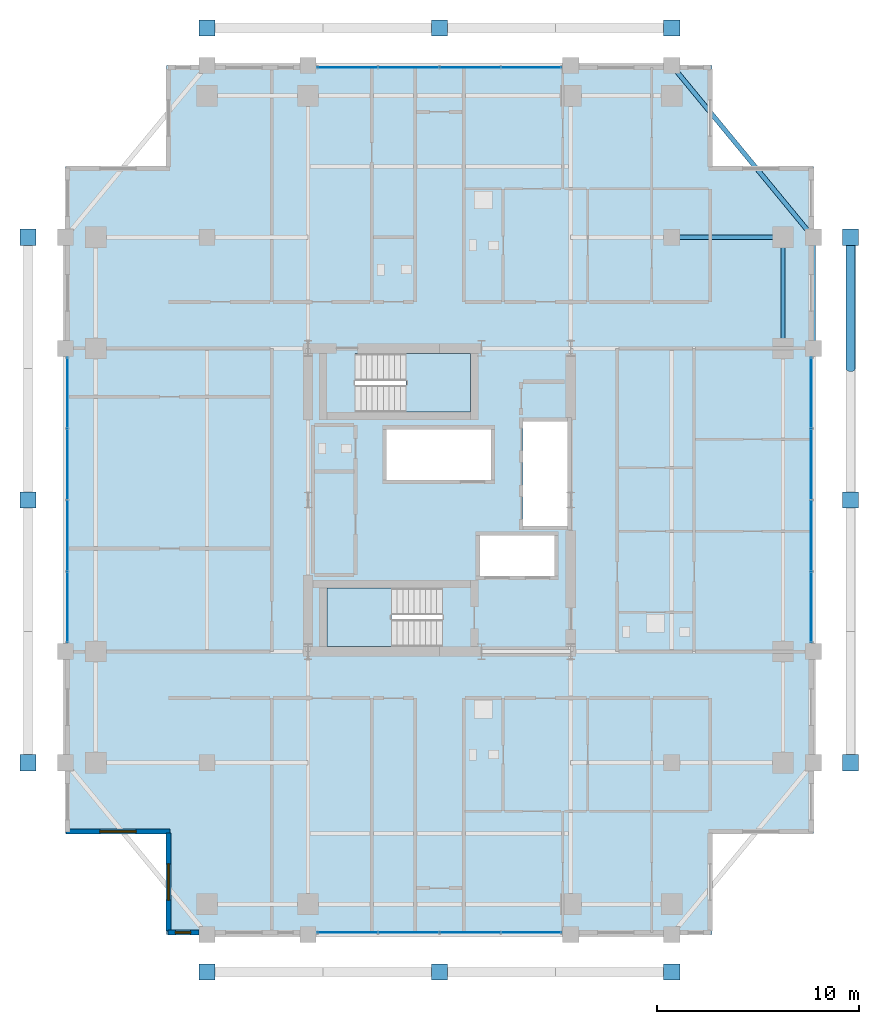
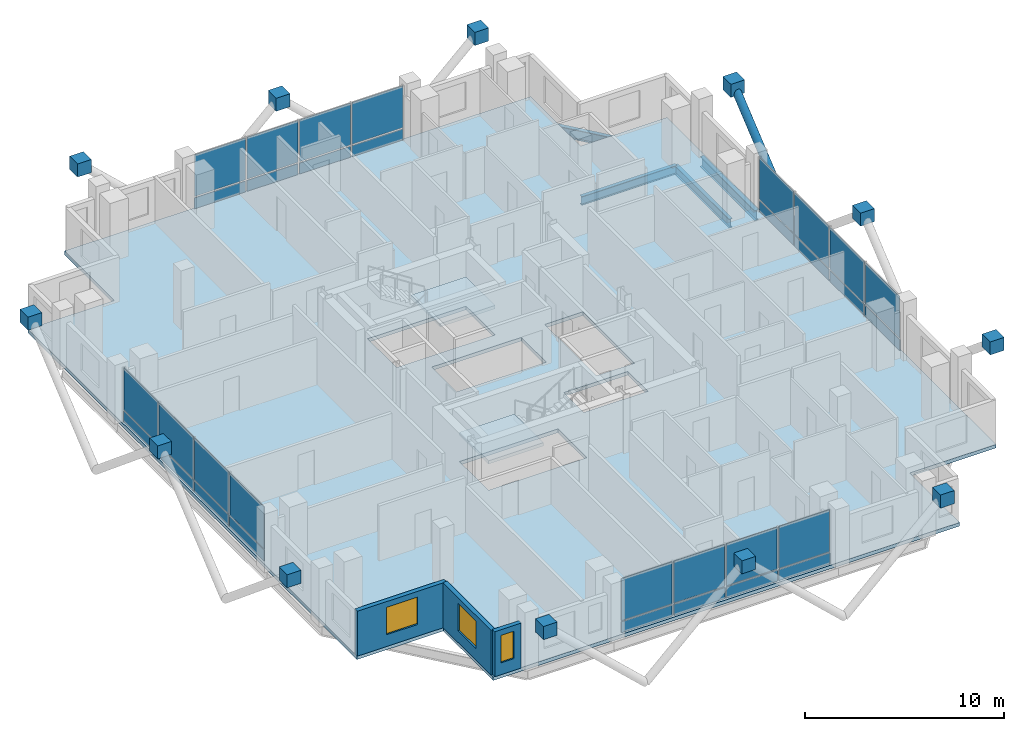
# One storey, part 17 of 24: 44 plates, 4 beams, 3 slabs, 3 walls, 3 windows, 1 member, 3 openings, 6 elements without a shape of their own.
"""IFC4 building model written with IfcOpenShell, lengths in metres."""

from ifc_helpers import new_model, si_unit, direction, frame, frame_2d, origin, origin_2d, place, context, subcontext, project, spatial, polyline, rectangle, hollow_circle, i_section, outline, extrude, material, layer, layer_set, material_profile, profile_set, type_object, element, fill, aggregate, save


model = new_model("IFC4")

# Units and contexts
model_context = context("Model", 3, precision=1e-05, world=origin(), true_north=direction((0.0, 1.0)))
body_context = subcontext(model_context, "Body", "Model", "MODEL_VIEW")
ifc_project = project(units=[si_unit("LENGTHUNIT", "METRE"), si_unit("AREAUNIT", "SQUARE_METRE"), si_unit("VOLUMEUNIT", "CUBIC_METRE"), si_unit("PLANEANGLEUNIT", "RADIAN"), si_unit("MASSUNIT", "GRAM", prefix="KILO")], contexts=[model_context])

# Site, building, storey
site_placement = place(None, origin())
site = spatial("IfcSite", under=ifc_project, at=site_placement, CompositionType="ELEMENT")
building_placement = place(site_placement, origin())
building = spatial("IfcBuilding", under=site, at=building_placement, Name="Barlavira Tower and Art Museum", CompositionType="ELEMENT")
storey_placement = place(building_placement, frame((0.0, 0.0, 172.800048828125)))
storey = spatial("IfcBuildingStorey", under=building, at=storey_placement, Name="L44", CompositionType="ELEMENT", Elevation=172.800048828125)

# Member
ifc_material_1 = material(Name="Steel S355", Category="steel")
ifc_material_profile_1 = material_profile(ifc_material_1, hollow_circle(Radius=0.228515625, WallThickness=0.02001953125, at=origin_2d()), Name="CHS 457.0x20.0")
ifc_profile_set_1 = profile_set([ifc_material_profile_1], Name="Steel S355")
member_type = type_object("IfcMemberType", Name="Pale-Metal Exoskeleton Diagrid Tube CHS 457x20 Steel S355", PredefinedType="BRACE", material=ifc_profile_set_1)
member_placement = place(storey_placement, frame((20.35009765625, 6.5, -1.920166015625), z_axis=(0.0, 0.76918185268, 0.639029950399), x_axis=(-1.0, 0.0, 0.0)))
element("IfcMember", 1, at=member_placement, inside=storey, type_object=member_type, Name="L44 Exoskeleton Diagrid Tube E", PredefinedType="BRACE", context=body_context, shape_type="SweptSolid", body=[
    extrude(hollow_circle(Radius=0.228515625, WallThickness=0.02001953125, at=origin_2d()), origin(), (0.0, 0.0, 1.0), 8.450439453125),
])

# Beams
ifc_material_profile_2 = material_profile(ifc_material_1, i_section(OverallWidth=0.22998046875, OverallDepth=0.616943359375, WebThickness=0.01318359375, FlangeThickness=0.022216796875, at=origin_2d()), Name="W610x140.0")
ifc_profile_set_2 = profile_set([ifc_material_profile_2], Name="Steel S355")
beam_type_1 = type_object("IfcBeamType", Name="Upper Shaft Spandrel Edge Beam W610x140 Steel S355", PredefinedType="SPANDREL", material=ifc_profile_set_2)
beam_1_placement = place(storey_placement, frame((18.5, 7.5, -0.528564453125), z_axis=(0.0, 1.0, 0.0), x_axis=(-1.0, 0.0, 0.0)))
element("IfcBeam", 2, at=beam_1_placement, inside=storey, type_object=beam_type_1, Name="L44 Spandrel 7", PredefinedType="SPANDREL", context=body_context, shape_type="SweptSolid", body=[
    extrude(i_section(OverallWidth=0.22998046875, OverallDepth=0.616943359375, WebThickness=0.01318359375, FlangeThickness=0.022216796875, at=origin_2d()), origin(), (0.0, 0.0, 1.0), 5.5),
])
beam_2_placement = place(storey_placement, frame((18.5, 13.0, -0.528564453125), z_axis=(-0.635707252861, 0.771930235617, 0.0), x_axis=(-0.771930235617, -0.635707252861, 0.0)))
element("IfcBeam", 3, at=beam_2_placement, inside=storey, type_object=beam_type_1, Name="L44 Spandrel 8", PredefinedType="SPANDREL", context=body_context, shape_type="SweptSolid", body=[
    extrude(i_section(OverallWidth=0.22998046875, OverallDepth=0.616943359375, WebThickness=0.01318359375, FlangeThickness=0.022216796875, at=origin_2d()), origin(), (0.0, 0.0, 1.0), 11.011474609375),
])
ifc_material_profile_3 = material_profile(ifc_material_1, i_section(OverallWidth=0.2109375, OverallDepth=0.5390625, WebThickness=0.01171875, FlangeThickness=0.018798828125, at=origin_2d()), Name="W530x109.0")
ifc_profile_set_3 = profile_set([ifc_material_profile_3], Name="Steel S355")
beam_type_2 = type_object("IfcBeamType", Name="Zone 3-4 Primary Floor Girder W530x109 Steel S355", PredefinedType="BEAM", material=ifc_profile_set_3)
for number, where, z_axis, x_axis, name in (
    (4, (17.0, 7.5, -0.489501953125), (0.0, 1.0, 0.0), (-1.0, 0.0, 0.0), "L44 Girder M-E3"),
    (5, (11.5, 13.0, -0.489501953125), (1.0, 0.0, 0.0), (0.0, 1.0, 0.0), "L44 Girder I-N4"),
):
    element("IfcBeam", number, at=place(storey_placement, frame(where, z_axis=z_axis, x_axis=x_axis)), inside=storey, type_object=beam_type_2, Name=name, PredefinedType="BEAM", context=body_context, shape_type="SweptSolid", body=[
        extrude(i_section(OverallWidth=0.2109375, OverallDepth=0.5390625, WebThickness=0.01171875, FlangeThickness=0.018798828125, at=origin_2d()), origin(), (0.0, 0.0, 1.0), 5.5),
    ])

# Curtain wall, plates
ifc_material_2 = material(Name="Low-iron coastal laminated glass", Category="glass")
ifc_layer_1 = layer(ifc_material_2, 0.199951171875, Name="Low-iron coastal laminated glass")
ifc_layer_set_1 = layer_set([ifc_layer_1], Name="Low-iron coastal laminated glass")
curtain_wall_type = type_object("IfcCurtainWallType", Name="Pale-Metal Unitised Curtain Wall Zone 3", PredefinedType="NOTDEFINED", material=ifc_layer_set_1)
curtain_wall_1_placement = place(storey_placement, origin())
curtain_wall_1 = element("IfcCurtainWall", 6, at=curtain_wall_1_placement, inside=storey, type_object=curtain_wall_type, Name="L44 Curtain Wall CW3-L44-S-B3", PredefinedType="NOTDEFINED")
ifc_material_3 = material(Name="Pale anodised aluminium", Category="aluminium")
ifc_layer_2 = layer(ifc_material_3, 0.044921875, Name="Pale anodised aluminium")
ifc_layer_set_2 = layer_set([ifc_layer_2], Name="Pale anodised aluminium")
plate_type_1 = type_object("IfcPlateType", Name="Curtain Wall Pale-Metal Spandrel Panel 45", PredefinedType="CURTAIN_PANEL", material=ifc_layer_set_2)
plate_1_placement = place(storey_placement, frame((-4.56005859375, -21.39990234375, 0.0400390625), z_axis=(0.0, 0.0, 1.0), x_axis=(1.0, 0.0, 0.0)))
plate_1 = element("IfcPlate", 7, at=plate_1_placement, type_object=plate_type_1, Name="CW3-L44-S-B3 Spandrel Panel 0", PredefinedType="CURTAIN_PANEL", context=body_context, shape_type="SweptSolid", body=[
    extrude(rectangle(XDim=2.93994140625, YDim=0.044921875, at=origin_2d()), origin(), (0.0, 0.0, 1.0), 0.6640625),
])
plate_2_placement = place(storey_placement, frame((-1.52001953125, -21.39990234375, 0.0400390625), z_axis=(0.0, 0.0, 1.0), x_axis=(1.0, 0.0, 0.0)))
plate_2 = element("IfcPlate", 8, at=plate_2_placement, type_object=plate_type_1, Name="CW3-L44-S-B3 Spandrel Panel 1", PredefinedType="CURTAIN_PANEL", context=body_context, shape_type="SweptSolid", body=[
    extrude(rectangle(XDim=2.93994140625, YDim=0.044921875, at=origin_2d()), origin(), (0.0, 0.0, 1.0), 0.6640625),
])
plate_3_placement = place(storey_placement, frame((1.52001953125, -21.39990234375, 0.0400390625), z_axis=(0.0, 0.0, 1.0), x_axis=(1.0, 0.0, 0.0)))
plate_3 = element("IfcPlate", 9, at=plate_3_placement, type_object=plate_type_1, Name="CW3-L44-S-B3 Spandrel Panel 2", PredefinedType="CURTAIN_PANEL", context=body_context, shape_type="SweptSolid", body=[
    extrude(rectangle(XDim=2.93994140625, YDim=0.044921875, at=origin_2d()), origin(), (0.0, 0.0, 1.0), 0.6640625),
])
plate_4_placement = place(storey_placement, frame((4.56005859375, -21.39990234375, 0.0400390625), z_axis=(0.0, 0.0, 1.0), x_axis=(1.0, 0.0, 0.0)))
plate_4 = element("IfcPlate", 10, at=plate_4_placement, type_object=plate_type_1, Name="CW3-L44-S-B3 Spandrel Panel 3", PredefinedType="CURTAIN_PANEL", context=body_context, shape_type="SweptSolid", body=[
    extrude(rectangle(XDim=2.93994140625, YDim=0.044921875, at=origin_2d()), origin(), (0.0, 0.0, 1.0), 0.6640625),
])

curtain_wall_2_placement = place(storey_placement, origin())
curtain_wall_2 = element("IfcCurtainWall", 11, at=curtain_wall_2_placement, inside=storey, type_object=curtain_wall_type, Name="L44 Curtain Wall CW3-L44-N-B3", PredefinedType="NOTDEFINED")
plate_5_placement = place(storey_placement, frame((4.56005859375, 21.39990234375, 0.0400390625), z_axis=(0.0, 0.0, 1.0), x_axis=(-1.0, 0.0, 0.0)))
plate_5 = element("IfcPlate", 12, at=plate_5_placement, type_object=plate_type_1, Name="CW3-L44-N-B3 Spandrel Panel 0", PredefinedType="CURTAIN_PANEL", context=body_context, shape_type="SweptSolid", body=[
    extrude(rectangle(XDim=2.93994140625, YDim=0.044921875, at=origin_2d()), origin(), (0.0, 0.0, 1.0), 0.6640625),
])
plate_6_placement = place(storey_placement, frame((1.52001953125, 21.39990234375, 0.0400390625), z_axis=(0.0, 0.0, 1.0), x_axis=(-1.0, 0.0, 0.0)))
plate_6 = element("IfcPlate", 13, at=plate_6_placement, type_object=plate_type_1, Name="CW3-L44-N-B3 Spandrel Panel 1", PredefinedType="CURTAIN_PANEL", context=body_context, shape_type="SweptSolid", body=[
    extrude(rectangle(XDim=2.93994140625, YDim=0.044921875, at=origin_2d()), origin(), (0.0, 0.0, 1.0), 0.6640625),
])
plate_7_placement = place(storey_placement, frame((-1.52001953125, 21.39990234375, 0.0400390625), z_axis=(0.0, 0.0, 1.0), x_axis=(-1.0, 0.0, 0.0)))
plate_7 = element("IfcPlate", 14, at=plate_7_placement, type_object=plate_type_1, Name="CW3-L44-N-B3 Spandrel Panel 2", PredefinedType="CURTAIN_PANEL", context=body_context, shape_type="SweptSolid", body=[
    extrude(rectangle(XDim=2.93994140625, YDim=0.044921875, at=origin_2d()), origin(), (0.0, 0.0, 1.0), 0.6640625),
])
plate_8_placement = place(storey_placement, frame((-4.56005859375, 21.39990234375, 0.0400390625), z_axis=(0.0, 0.0, 1.0), x_axis=(-1.0, 0.0, 0.0)))
plate_8 = element("IfcPlate", 15, at=plate_8_placement, type_object=plate_type_1, Name="CW3-L44-N-B3 Spandrel Panel 3", PredefinedType="CURTAIN_PANEL", context=body_context, shape_type="SweptSolid", body=[
    extrude(rectangle(XDim=2.93994140625, YDim=0.044921875, at=origin_2d()), origin(), (0.0, 0.0, 1.0), 0.6640625),
])

curtain_wall_3_placement = place(storey_placement, origin())
curtain_wall_3 = element("IfcCurtainWall", 16, at=curtain_wall_3_placement, inside=storey, type_object=curtain_wall_type, Name="L44 Curtain Wall CW3-L44-W-B3", PredefinedType="NOTDEFINED")
plate_9_placement = place(storey_placement, frame((-18.39990234375, 5.31005859375, 0.0400390625), z_axis=(0.0, 0.0, 1.0), x_axis=(0.0, -1.0, 0.0)))
plate_9 = element("IfcPlate", 17, at=plate_9_placement, type_object=plate_type_1, Name="CW3-L44-W-B3 Spandrel Panel 0", PredefinedType="CURTAIN_PANEL", context=body_context, shape_type="SweptSolid", body=[
    extrude(rectangle(XDim=3.43994140625, YDim=0.044921875, at=origin_2d()), origin(), (0.0, 0.0, 1.0), 0.6640625),
])
plate_10_placement = place(storey_placement, frame((-18.39990234375, 1.77001953125, 0.0400390625), z_axis=(0.0, 0.0, 1.0), x_axis=(0.0, -1.0, 0.0)))
plate_10 = element("IfcPlate", 18, at=plate_10_placement, type_object=plate_type_1, Name="CW3-L44-W-B3 Spandrel Panel 1", PredefinedType="CURTAIN_PANEL", context=body_context, shape_type="SweptSolid", body=[
    extrude(rectangle(XDim=3.43994140625, YDim=0.044921875, at=origin_2d()), origin(), (0.0, 0.0, 1.0), 0.6640625),
])
plate_11_placement = place(storey_placement, frame((-18.39990234375, -1.77001953125, 0.0400390625), z_axis=(0.0, 0.0, 1.0), x_axis=(0.0, -1.0, 0.0)))
plate_11 = element("IfcPlate", 19, at=plate_11_placement, type_object=plate_type_1, Name="CW3-L44-W-B3 Spandrel Panel 2", PredefinedType="CURTAIN_PANEL", context=body_context, shape_type="SweptSolid", body=[
    extrude(rectangle(XDim=3.43994140625, YDim=0.044921875, at=origin_2d()), origin(), (0.0, 0.0, 1.0), 0.6640625),
])
plate_12_placement = place(storey_placement, frame((-18.39990234375, -5.31005859375, 0.0400390625), z_axis=(0.0, 0.0, 1.0), x_axis=(0.0, -1.0, 0.0)))
plate_12 = element("IfcPlate", 20, at=plate_12_placement, type_object=plate_type_1, Name="CW3-L44-W-B3 Spandrel Panel 3", PredefinedType="CURTAIN_PANEL", context=body_context, shape_type="SweptSolid", body=[
    extrude(rectangle(XDim=3.43994140625, YDim=0.044921875, at=origin_2d()), origin(), (0.0, 0.0, 1.0), 0.6640625),
])

curtain_wall_4_placement = place(storey_placement, origin())
curtain_wall_4 = element("IfcCurtainWall", 21, at=curtain_wall_4_placement, inside=storey, type_object=curtain_wall_type, Name="L44 Curtain Wall CW3-L44-E-B3", PredefinedType="NOTDEFINED")
plate_13_placement = place(storey_placement, frame((18.39990234375, -5.31005859375, 0.0400390625), z_axis=(0.0, 0.0, 1.0), x_axis=(0.0, 1.0, 0.0)))
plate_13 = element("IfcPlate", 22, at=plate_13_placement, type_object=plate_type_1, Name="CW3-L44-E-B3 Spandrel Panel 0", PredefinedType="CURTAIN_PANEL", context=body_context, shape_type="SweptSolid", body=[
    extrude(rectangle(XDim=3.43994140625, YDim=0.044921875, at=origin_2d()), origin(), (0.0, 0.0, 1.0), 0.6640625),
])
plate_14_placement = place(storey_placement, frame((18.39990234375, -1.77001953125, 0.0400390625), z_axis=(0.0, 0.0, 1.0), x_axis=(0.0, 1.0, 0.0)))
plate_14 = element("IfcPlate", 23, at=plate_14_placement, type_object=plate_type_1, Name="CW3-L44-E-B3 Spandrel Panel 1", PredefinedType="CURTAIN_PANEL", context=body_context, shape_type="SweptSolid", body=[
    extrude(rectangle(XDim=3.43994140625, YDim=0.044921875, at=origin_2d()), origin(), (0.0, 0.0, 1.0), 0.6640625),
])
plate_15_placement = place(storey_placement, frame((18.39990234375, 1.77001953125, 0.0400390625), z_axis=(0.0, 0.0, 1.0), x_axis=(0.0, 1.0, 0.0)))
plate_15 = element("IfcPlate", 24, at=plate_15_placement, type_object=plate_type_1, Name="CW3-L44-E-B3 Spandrel Panel 2", PredefinedType="CURTAIN_PANEL", context=body_context, shape_type="SweptSolid", body=[
    extrude(rectangle(XDim=3.43994140625, YDim=0.044921875, at=origin_2d()), origin(), (0.0, 0.0, 1.0), 0.6640625),
])
plate_16_placement = place(storey_placement, frame((18.39990234375, 5.31005859375, 0.0400390625), z_axis=(0.0, 0.0, 1.0), x_axis=(0.0, 1.0, 0.0)))
plate_16 = element("IfcPlate", 25, at=plate_16_placement, type_object=plate_type_1, Name="CW3-L44-E-B3 Spandrel Panel 3", PredefinedType="CURTAIN_PANEL", context=body_context, shape_type="SweptSolid", body=[
    extrude(rectangle(XDim=3.43994140625, YDim=0.044921875, at=origin_2d()), origin(), (0.0, 0.0, 1.0), 0.6640625),
])

# Plate
ifc_layer_3 = layer(ifc_material_2, 0.028076171875, Name="Low-iron coastal laminated glass")
ifc_layer_set_3 = layer_set([ifc_layer_3], Name="Low-iron coastal laminated glass")
plate_type_2 = type_object("IfcPlateType", Name="Curtain Wall Vision Glazing Panel 28", PredefinedType="CURTAIN_PANEL", material=ifc_layer_set_3)
plate_17_placement = place(storey_placement, frame((-4.56005859375, -21.39990234375, 0.7841796875), z_axis=(0.0, 0.0, 1.0), x_axis=(1.0, 0.0, 0.0)))
plate_17 = element("IfcPlate", 26, at=plate_17_placement, type_object=plate_type_2, Name="CW3-L44-S-B3 Vision Glass Panel 0", PredefinedType="CURTAIN_PANEL", context=body_context, shape_type="SweptSolid", body=[
    extrude(rectangle(XDim=2.93994140625, YDim=0.028076171875, at=origin_2d()), origin(), (0.0, 0.0, 1.0), 2.555908203125),
])

plate_18_placement = place(storey_placement, frame((-1.52001953125, -21.39990234375, 0.7841796875), z_axis=(0.0, 0.0, 1.0), x_axis=(1.0, 0.0, 0.0)))
plate_18 = element("IfcPlate", 27, at=plate_18_placement, type_object=plate_type_2, Name="CW3-L44-S-B3 Vision Glass Panel 1", PredefinedType="CURTAIN_PANEL", context=body_context, shape_type="SweptSolid", body=[
    extrude(rectangle(XDim=2.93994140625, YDim=0.028076171875, at=origin_2d()), origin(), (0.0, 0.0, 1.0), 2.555908203125),
])

plate_19_placement = place(storey_placement, frame((1.52001953125, -21.39990234375, 0.7841796875), z_axis=(0.0, 0.0, 1.0), x_axis=(1.0, 0.0, 0.0)))
plate_19 = element("IfcPlate", 28, at=plate_19_placement, type_object=plate_type_2, Name="CW3-L44-S-B3 Vision Glass Panel 2", PredefinedType="CURTAIN_PANEL", context=body_context, shape_type="SweptSolid", body=[
    extrude(rectangle(XDim=2.93994140625, YDim=0.028076171875, at=origin_2d()), origin(), (0.0, 0.0, 1.0), 2.555908203125),
])

plate_20_placement = place(storey_placement, frame((4.56005859375, -21.39990234375, 0.7841796875), z_axis=(0.0, 0.0, 1.0), x_axis=(1.0, 0.0, 0.0)))
plate_20 = element("IfcPlate", 29, at=plate_20_placement, type_object=plate_type_2, Name="CW3-L44-S-B3 Vision Glass Panel 3", PredefinedType="CURTAIN_PANEL", context=body_context, shape_type="SweptSolid", body=[
    extrude(rectangle(XDim=2.93994140625, YDim=0.028076171875, at=origin_2d()), origin(), (0.0, 0.0, 1.0), 2.555908203125),
])

aggregate(curtain_wall_1, [plate_1, plate_17, plate_2, plate_18, plate_3, plate_19, plate_4, plate_20])

plate_21_placement = place(storey_placement, frame((4.56005859375, 21.39990234375, 0.7841796875), z_axis=(0.0, 0.0, 1.0), x_axis=(-1.0, 0.0, 0.0)))
plate_21 = element("IfcPlate", 30, at=plate_21_placement, type_object=plate_type_2, Name="CW3-L44-N-B3 Vision Glass Panel 0", PredefinedType="CURTAIN_PANEL", context=body_context, shape_type="SweptSolid", body=[
    extrude(rectangle(XDim=2.93994140625, YDim=0.028076171875, at=origin_2d()), origin(), (0.0, 0.0, 1.0), 2.555908203125),
])

plate_22_placement = place(storey_placement, frame((1.52001953125, 21.39990234375, 0.7841796875), z_axis=(0.0, 0.0, 1.0), x_axis=(-1.0, 0.0, 0.0)))
plate_22 = element("IfcPlate", 31, at=plate_22_placement, type_object=plate_type_2, Name="CW3-L44-N-B3 Vision Glass Panel 1", PredefinedType="CURTAIN_PANEL", context=body_context, shape_type="SweptSolid", body=[
    extrude(rectangle(XDim=2.93994140625, YDim=0.028076171875, at=origin_2d()), origin(), (0.0, 0.0, 1.0), 2.555908203125),
])

plate_23_placement = place(storey_placement, frame((-1.52001953125, 21.39990234375, 0.7841796875), z_axis=(0.0, 0.0, 1.0), x_axis=(-1.0, 0.0, 0.0)))
plate_23 = element("IfcPlate", 32, at=plate_23_placement, type_object=plate_type_2, Name="CW3-L44-N-B3 Vision Glass Panel 2", PredefinedType="CURTAIN_PANEL", context=body_context, shape_type="SweptSolid", body=[
    extrude(rectangle(XDim=2.93994140625, YDim=0.028076171875, at=origin_2d()), origin(), (0.0, 0.0, 1.0), 2.555908203125),
])

plate_24_placement = place(storey_placement, frame((-4.56005859375, 21.39990234375, 0.7841796875), z_axis=(0.0, 0.0, 1.0), x_axis=(-1.0, 0.0, 0.0)))
plate_24 = element("IfcPlate", 33, at=plate_24_placement, type_object=plate_type_2, Name="CW3-L44-N-B3 Vision Glass Panel 3", PredefinedType="CURTAIN_PANEL", context=body_context, shape_type="SweptSolid", body=[
    extrude(rectangle(XDim=2.93994140625, YDim=0.028076171875, at=origin_2d()), origin(), (0.0, 0.0, 1.0), 2.555908203125),
])

aggregate(curtain_wall_2, [plate_5, plate_21, plate_6, plate_22, plate_7, plate_23, plate_8, plate_24])

plate_25_placement = place(storey_placement, frame((-18.39990234375, 5.31005859375, 0.7841796875), z_axis=(0.0, 0.0, 1.0), x_axis=(0.0, -1.0, 0.0)))
plate_25 = element("IfcPlate", 34, at=plate_25_placement, type_object=plate_type_2, Name="CW3-L44-W-B3 Vision Glass Panel 0", PredefinedType="CURTAIN_PANEL", context=body_context, shape_type="SweptSolid", body=[
    extrude(rectangle(XDim=3.43994140625, YDim=0.028076171875, at=origin_2d()), origin(), (0.0, 0.0, 1.0), 2.555908203125),
])

plate_26_placement = place(storey_placement, frame((-18.39990234375, 1.77001953125, 0.7841796875), z_axis=(0.0, 0.0, 1.0), x_axis=(0.0, -1.0, 0.0)))
plate_26 = element("IfcPlate", 35, at=plate_26_placement, type_object=plate_type_2, Name="CW3-L44-W-B3 Vision Glass Panel 1", PredefinedType="CURTAIN_PANEL", context=body_context, shape_type="SweptSolid", body=[
    extrude(rectangle(XDim=3.43994140625, YDim=0.028076171875, at=origin_2d()), origin(), (0.0, 0.0, 1.0), 2.555908203125),
])

plate_27_placement = place(storey_placement, frame((-18.39990234375, -1.77001953125, 0.7841796875), z_axis=(0.0, 0.0, 1.0), x_axis=(0.0, -1.0, 0.0)))
plate_27 = element("IfcPlate", 36, at=plate_27_placement, type_object=plate_type_2, Name="CW3-L44-W-B3 Vision Glass Panel 2", PredefinedType="CURTAIN_PANEL", context=body_context, shape_type="SweptSolid", body=[
    extrude(rectangle(XDim=3.43994140625, YDim=0.028076171875, at=origin_2d()), origin(), (0.0, 0.0, 1.0), 2.555908203125),
])

plate_28_placement = place(storey_placement, frame((-18.39990234375, -5.31005859375, 0.7841796875), z_axis=(0.0, 0.0, 1.0), x_axis=(0.0, -1.0, 0.0)))
plate_28 = element("IfcPlate", 37, at=plate_28_placement, type_object=plate_type_2, Name="CW3-L44-W-B3 Vision Glass Panel 3", PredefinedType="CURTAIN_PANEL", context=body_context, shape_type="SweptSolid", body=[
    extrude(rectangle(XDim=3.43994140625, YDim=0.028076171875, at=origin_2d()), origin(), (0.0, 0.0, 1.0), 2.555908203125),
])

aggregate(curtain_wall_3, [plate_9, plate_25, plate_10, plate_26, plate_11, plate_27, plate_12, plate_28])

plate_29_placement = place(storey_placement, frame((18.39990234375, -5.31005859375, 0.7841796875), z_axis=(0.0, 0.0, 1.0), x_axis=(0.0, 1.0, 0.0)))
plate_29 = element("IfcPlate", 38, at=plate_29_placement, type_object=plate_type_2, Name="CW3-L44-E-B3 Vision Glass Panel 0", PredefinedType="CURTAIN_PANEL", context=body_context, shape_type="SweptSolid", body=[
    extrude(rectangle(XDim=3.43994140625, YDim=0.028076171875, at=origin_2d()), origin(), (0.0, 0.0, 1.0), 2.555908203125),
])

plate_30_placement = place(storey_placement, frame((18.39990234375, -1.77001953125, 0.7841796875), z_axis=(0.0, 0.0, 1.0), x_axis=(0.0, 1.0, 0.0)))
plate_30 = element("IfcPlate", 39, at=plate_30_placement, type_object=plate_type_2, Name="CW3-L44-E-B3 Vision Glass Panel 1", PredefinedType="CURTAIN_PANEL", context=body_context, shape_type="SweptSolid", body=[
    extrude(rectangle(XDim=3.43994140625, YDim=0.028076171875, at=origin_2d()), origin(), (0.0, 0.0, 1.0), 2.555908203125),
])

plate_31_placement = place(storey_placement, frame((18.39990234375, 1.77001953125, 0.7841796875), z_axis=(0.0, 0.0, 1.0), x_axis=(0.0, 1.0, 0.0)))
plate_31 = element("IfcPlate", 40, at=plate_31_placement, type_object=plate_type_2, Name="CW3-L44-E-B3 Vision Glass Panel 2", PredefinedType="CURTAIN_PANEL", context=body_context, shape_type="SweptSolid", body=[
    extrude(rectangle(XDim=3.43994140625, YDim=0.028076171875, at=origin_2d()), origin(), (0.0, 0.0, 1.0), 2.555908203125),
])

plate_32_placement = place(storey_placement, frame((18.39990234375, 5.31005859375, 0.7841796875), z_axis=(0.0, 0.0, 1.0), x_axis=(0.0, 1.0, 0.0)))
plate_32 = element("IfcPlate", 41, at=plate_32_placement, type_object=plate_type_2, Name="CW3-L44-E-B3 Vision Glass Panel 3", PredefinedType="CURTAIN_PANEL", context=body_context, shape_type="SweptSolid", body=[
    extrude(rectangle(XDim=3.43994140625, YDim=0.028076171875, at=origin_2d()), origin(), (0.0, 0.0, 1.0), 2.555908203125),
])

aggregate(curtain_wall_4, [plate_13, plate_29, plate_14, plate_30, plate_15, plate_31, plate_16, plate_32])

# Plates
ifc_layer_4 = layer(ifc_material_1, 0.800048828125, Name="Steel S355")
ifc_layer_set_4 = layer_set([ifc_layer_4], Name="Steel S355")
plate_type_3 = type_object("IfcPlateType", Name="Exoskeleton Solid Steel Node Cap Plate Assembly Type 3 Steel S355", PredefinedType="USERDEFINED", material=ifc_layer_set_4)
for number, where, z_axis, x_axis, name in (
    (42, (-11.5, -23.35009765625, 3.080078125), (0.0, 0.0, 1.0), (1.0, 0.0, 0.0), "Exoskeleton Node S ND-L44-0453"),
    (43, (0.0, -23.35009765625, 3.080078125), (0.0, 0.0, 1.0), (1.0, 0.0, 0.0), "Exoskeleton Node S ND-L44-0454"),
    (44, (11.5, -23.35009765625, 3.080078125), (0.0, 0.0, 1.0), (1.0, 0.0, 0.0), "Exoskeleton Node S ND-L44-0455"),
    (45, (-11.5, 23.35009765625, 3.080078125), (0.0, 0.0, 1.0), (1.0, 0.0, 0.0), "Exoskeleton Node N ND-L44-0461"),
    (46, (0.0, 23.35009765625, 3.080078125), (0.0, 0.0, 1.0), (1.0, 0.0, 0.0), "Exoskeleton Node N ND-L44-0462"),
    (47, (11.5, 23.35009765625, 3.080078125), (0.0, 0.0, 1.0), (1.0, 0.0, 0.0), "Exoskeleton Node N ND-L44-0463"),
    (48, (-20.35009765625, -13.0, 3.080078125), (0.0, 0.0, 1.0), (1.0, 0.0, 0.0), "Exoskeleton Node W ND-L44-0469"),
    (49, (-20.35009765625, 0.0, 3.080078125), (0.0, 0.0, 1.0), (1.0, 0.0, 0.0), "Exoskeleton Node W ND-L44-0470"),
    (50, (-20.35009765625, 13.0, 3.080078125), (0.0, 0.0, 1.0), (1.0, 0.0, 0.0), "Exoskeleton Node W ND-L44-0471"),
    (51, (20.35009765625, -13.0, 3.080078125), (0.0, 0.0, 1.0), (1.0, 0.0, 0.0), "Exoskeleton Node E ND-L44-0477"),
    (52, (20.35009765625, 0.0, 3.080078125), (0.0, 0.0, 1.0), (1.0, 0.0, 0.0), "Exoskeleton Node E ND-L44-0478"),
    (53, (20.35009765625, 13.0, 3.080078125), (0.0, 0.0, 1.0), (1.0, 0.0, 0.0), "Exoskeleton Node E ND-L44-0479"),
):
    element("IfcPlate", number, at=place(storey_placement, frame(where, z_axis=z_axis, x_axis=x_axis)), inside=storey, type_object=plate_type_3, Name=name, ObjectType="FLANGE_PLATE", PredefinedType="USERDEFINED", context=body_context, shape_type="SweptSolid", body=[
        extrude(rectangle(XDim=0.800048828125, YDim=0.800048828125, at=origin_2d()), origin(), (0.0, 0.0, 1.0), 0.800048828125),
    ])

# Stair, slab
ifc_material_4 = material(Name="Concrete C45", Category="concrete")
stair_type_1 = type_object("IfcStairType", Name="Tower North Dog-Leg Exit Stair Assembly Concrete C45", PredefinedType="TWO_QUARTER_TURN_STAIR", material=ifc_material_4)
stair_1_placement = place(storey_placement, origin())
stair_1 = element("IfcStair", 54, at=stair_1_placement, inside=storey, type_object=stair_type_1, Name="L44 Tower North Exit Stair ST-T2", PredefinedType="TWO_QUARTER_TURN_STAIR")
ifc_layer_5 = layer(ifc_material_4, 0.199951171875, Name="Concrete C45")
ifc_layer_set_5 = layer_set([ifc_layer_5], Name="Concrete C45")
slab_type_1 = type_object("IfcSlabType", Name="Tower North Dog-Leg Exit Stair Half-Landing Slab 200 Concrete C45", PredefinedType="LANDING", material=ifc_layer_set_5)
slab_1_placement = place(storey_placement, frame((0.0, 0.0, 1.599853515625)))
slab_1 = element("IfcSlab", 55, at=slab_1_placement, type_object=slab_type_1, Name="ST-T2 landing 1", PredefinedType="LANDING", context=body_context, shape_type="SweptSolid", body=[
    extrude(outline(polyline([(-1.64990234375, 4.35009765625), (1.530029296875, 4.35009765625), (1.530029296875, 7.25), (-1.64990234375, 7.25), (-1.64990234375, 4.35009765625)])), origin(), (0.0, 0.0, 1.0), 0.2001953125),
])
aggregate(stair_1, [slab_1])

stair_type_2 = type_object("IfcStairType", Name="Tower South Dog-Leg Exit Stair Assembly Concrete C45", PredefinedType="TWO_QUARTER_TURN_STAIR", material=ifc_material_4)
stair_2_placement = place(storey_placement, origin())
stair_2 = element("IfcStair", 56, at=stair_2_placement, inside=storey, type_object=stair_type_2, Name="L44 Tower South Exit Stair ST-T1", PredefinedType="TWO_QUARTER_TURN_STAIR")
ifc_layer_6 = layer(ifc_material_4, 0.199951171875, Name="Concrete C45")
ifc_layer_set_6 = layer_set([ifc_layer_6], Name="Concrete C45")
slab_type_2 = type_object("IfcSlabType", Name="Tower South Dog-Leg Exit Stair Half-Landing Slab 200 Concrete C45", PredefinedType="LANDING", material=ifc_layer_set_6)
slab_2_placement = place(storey_placement, frame((0.0, 0.0, 1.599853515625)))
slab_2 = element("IfcSlab", 57, at=slab_2_placement, type_object=slab_type_2, Name="ST-T1 landing 1", PredefinedType="LANDING", context=body_context, shape_type="SweptSolid", body=[
    extrude(outline(polyline([(-2.3701171875, -4.35009765625), (-5.550048828125, -4.35009765625), (-5.550048828125, -7.25), (-2.3701171875, -7.25), (-2.3701171875, -4.35009765625)])), origin(), (0.0, 0.0, 1.0), 0.2001953125),
])
aggregate(stair_2, [slab_2])

# Slab
ifc_material_5 = material(Name="Concrete C50", Category="concrete")
ifc_layer_7 = layer(ifc_material_5, 0.199951171875, Name="Concrete C50")
ifc_layer_set_7 = layer_set([ifc_layer_7], Name="Concrete C50")
slab_type_3 = type_object("IfcSlabType", Name="Zone 3 Residential Composite Slab 200 Concrete C50", PredefinedType="FLOOR", material=ifc_layer_set_7)
slab_3_placement = place(storey_placement, frame((0.0, 0.0, -0.219970703125)))
element("IfcSlab", 58, at=slab_3_placement, inside=storey, type_object=slab_type_3, Name="L44 Tower Floor Slab", PredefinedType="FLOOR", context=body_context, shape_type="SweptSolid", body=[
    extrude(outline(polyline([(-13.5, -21.5), (13.5, -21.5), (13.5, -16.5), (18.5, -16.5), (18.5, 16.5), (13.5, 16.5), (13.5, 21.5), (-13.5, 21.5), (-13.5, 16.5), (-18.5, 16.5), (-18.5, -16.5), (-13.5, -16.5), (-13.5, -21.5)]), holes=[polyline([(0.14990234375, -4.35009765625), (-5.550048828125, -4.35009765625), (-5.550048828125, -7.25), (0.14990234375, -7.25), (0.14990234375, -4.35009765625)]), polyline([(-4.169921875, 4.35009765625), (1.530029296875, 4.35009765625), (1.530029296875, 7.25), (-4.169921875, 7.25), (-4.169921875, 4.35009765625)]), polyline([(4.14990234375, -1.2900390625), (6.35009765625, -1.2900390625), (6.35009765625, 3.889892578125), (4.14990234375, 3.889892578125), (4.14990234375, -1.2900390625)]), polyline([(-2.6201171875, 1.0), (2.56005859375, 1.0), (2.56005859375, 3.5), (-2.6201171875, 3.5), (-2.6201171875, 1.0)]), polyline([(2.0, -3.75), (5.699951171875, -3.75), (5.699951171875, -1.75), (2.0, -1.75), (2.0, -3.75)])]), origin(), (0.0, 0.0, 1.0), 0.219970703125),
])

# Wall, opening, window
ifc_material_6 = material(Name="Precast concrete C40", Category="concrete")
ifc_layer_8 = layer(ifc_material_6, 0.25, Name="Precast concrete C40")
ifc_layer_set_8 = layer_set([ifc_layer_8], Name="Precast concrete C40")
wall_type = type_object("IfcWallType", Name="Notched Corner Spandrel Wall 250 Precast Concrete C40", PredefinedType="SOLIDWALL", material=ifc_layer_set_8)
wall_1_placement = place(storey_placement, frame((-13.425048828125, -21.39990234375, 0.0), z_axis=(0.0, 0.0, 1.0), x_axis=(1.0, 0.0, 0.0)))
wall_1 = element("IfcWall", 59, at=wall_1_placement, inside=storey, type_object=wall_type, Name="L44 Coastal Facade Pier Wall CW3-L44-S-1", PredefinedType="SOLIDWALL", context=body_context, shape_type="SweptSolid", body=[
    extrude(rectangle(XDim=1.530029296875, YDim=0.25, at=frame_2d((0.76513671875, 0.0))), origin(), (0.0, 0.0, 1.0), 2.748046875),
])
opening_1_placement = place(wall_1_placement, frame((0.363037109375, 0.0, 0.719970703125)))
opening_1 = element("IfcOpeningElement", 60, at=opening_1_placement, cuts=wall_1, Name="Opening WN-06", PredefinedType="OPENING", context=body_context, shape_type="SweptSolid", body=[
    extrude(rectangle(XDim=0.760009765625, YDim=1.679931640625, at=frame_2d((0.3798828125, 0.83984375))), frame((0.0, 0.135009765625, 0.0), z_axis=(0.0, -1.0, 0.0), x_axis=(1.0, 0.0, 0.0)), (0.0, 0.0, 1.0), 0.27001953125),
])
window_type_1 = type_object("IfcWindowType", Name="Recessed Narrow Pier Window 760x1680", PartitioningType="SINGLE_PANEL", PredefinedType="WINDOW", material=ifc_material_2)
window_1_placement = place(opening_1_placement, origin())
window_1 = element("IfcWindow", 61, at=window_1_placement, inside=storey, type_object=window_type_1, Name="L44 Punched Facade Window EWP-CW3-L44-S-1-1", OverallHeight=1.679931640625, OverallWidth=0.760009765625, PartitioningType="SINGLE_PANEL", PredefinedType="WINDOW", context=body_context, shape_type="SweptSolid", body=[
    extrude(rectangle(XDim=0.760009765625, YDim=1.679931640625, at=frame_2d((0.3798828125, 0.83984375))), frame((0.0, 0.030029296875, 0.0), z_axis=(0.0, -1.0, 0.0), x_axis=(1.0, 0.0, 0.0)), (0.0, 0.0, 1.0), 0.06005859375),
])
fill(opening_1, window_1)

wall_2_placement = place(storey_placement, frame((-18.47998046875, -16.39990234375, 0.0), z_axis=(0.0, 0.0, 1.0), x_axis=(1.0, 0.0, 0.0)))
wall_2 = element("IfcWall", 62, at=wall_2_placement, inside=storey, type_object=wall_type, Name="L44 Notch Corner Wall SW1", PredefinedType="SOLIDWALL", context=body_context, shape_type="SweptSolid", body=[
    extrude(rectangle(XDim=5.159912109375, YDim=0.25, at=frame_2d((2.580078125, 0.0))), origin(), (0.0, 0.0, 1.0), 2.748046875),
])
opening_2_placement = place(wall_2_placement, frame((1.679931640625, 0.0, 0.719970703125)))
opening_2 = element("IfcOpeningElement", 63, at=opening_2_placement, cuts=wall_2, Name="Opening WN-01", PredefinedType="OPENING", context=body_context, shape_type="SweptSolid", body=[
    extrude(rectangle(XDim=1.800048828125, YDim=1.679931640625, at=frame_2d((0.89990234375, 0.83984375))), frame((0.0, 0.135009765625, 0.0), z_axis=(0.0, -1.0, 0.0), x_axis=(1.0, 0.0, 0.0)), (0.0, 0.0, 1.0), 0.27001953125),
])
window_type_2 = type_object("IfcWindowType", Name="Recessed Notch Corner Punch Window 1800x1680", PartitioningType="SINGLE_PANEL", PredefinedType="WINDOW", material=ifc_material_2)
window_2_placement = place(opening_2_placement, origin())
window_2 = element("IfcWindow", 64, at=window_2_placement, inside=storey, type_object=window_type_2, Name="L44 Punched Facade Window EW-NTC-L44-SW1-1", OverallHeight=1.679931640625, OverallWidth=1.800048828125, PartitioningType="SINGLE_PANEL", PredefinedType="WINDOW", context=body_context, shape_type="SweptSolid", body=[
    extrude(rectangle(XDim=1.800048828125, YDim=1.679931640625, at=frame_2d((0.89990234375, 0.83984375))), frame((0.0, 0.030029296875, 0.0), z_axis=(0.0, -1.0, 0.0), x_axis=(1.0, 0.0, 0.0)), (0.0, 0.0, 1.0), 0.06005859375),
])
fill(opening_2, window_2)

wall_3_placement = place(storey_placement, frame((-13.39990234375, -16.47998046875, 0.0), z_axis=(0.0, 0.0, 1.0), x_axis=(0.0, -1.0, 0.0)))
wall_3 = element("IfcWall", 65, at=wall_3_placement, inside=storey, type_object=wall_type, Name="L44 Notch Corner Wall SW2", PredefinedType="SOLIDWALL", context=body_context, shape_type="SweptSolid", body=[
    extrude(rectangle(XDim=4.840087890625, YDim=0.25, at=frame_2d((2.419921875, 0.0))), origin(), (0.0, 0.0, 1.0), 2.748046875),
])
opening_3_placement = place(wall_3_placement, frame((1.52001953125, 0.0, 0.719970703125)))
opening_3 = element("IfcOpeningElement", 66, at=opening_3_placement, cuts=wall_3, Name="Opening WN-01", PredefinedType="OPENING", context=body_context, shape_type="SweptSolid", body=[
    extrude(rectangle(XDim=1.800048828125, YDim=1.679931640625, at=frame_2d((0.89990234375, 0.83984375))), frame((0.0, 0.135009765625, 0.0), z_axis=(0.0, -1.0, 0.0), x_axis=(1.0, 0.0, 0.0)), (0.0, 0.0, 1.0), 0.27001953125),
])
window_3_placement = place(opening_3_placement, origin())
window_3 = element("IfcWindow", 67, at=window_3_placement, inside=storey, type_object=window_type_2, Name="L44 Punched Facade Window EW-NTC-L44-SW2-1", OverallHeight=1.679931640625, OverallWidth=1.800048828125, PartitioningType="SINGLE_PANEL", PredefinedType="WINDOW", context=body_context, shape_type="SweptSolid", body=[
    extrude(rectangle(XDim=1.800048828125, YDim=1.679931640625, at=frame_2d((0.89990234375, 0.83984375))), frame((0.0, 0.030029296875, 0.0), z_axis=(0.0, -1.0, 0.0), x_axis=(1.0, 0.0, 0.0)), (0.0, 0.0, 1.0), 0.06005859375),
])
fill(opening_3, window_3)

save(model, "model.ifc")
